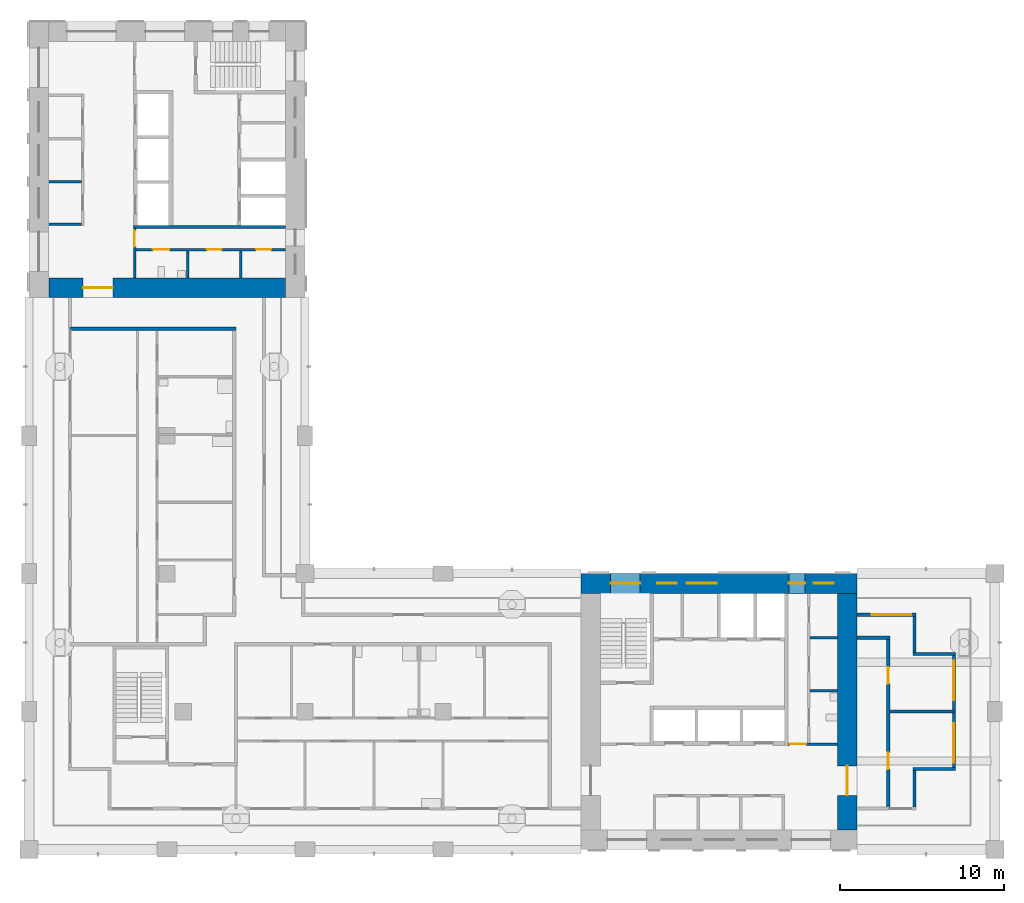
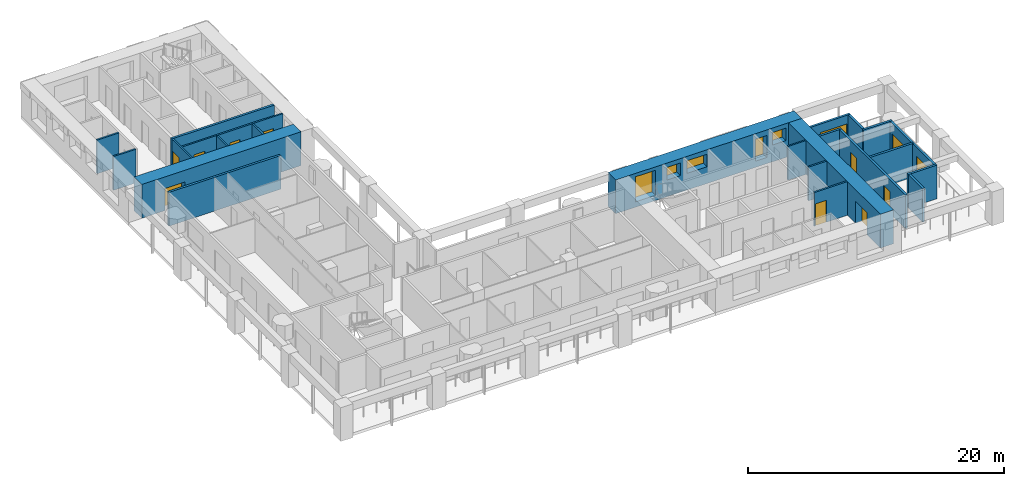
# One storey, part 5 of 13: 23 walls, 10 doors, 7 windows, 17 openings.
"""IFC4 building model written with IfcOpenShell, lengths in metres."""

from ifc_helpers import new_model, si_unit, direction, frame, frame_2d, origin, place, context, subcontext, project, spatial, rectangle, extrude, material, layer, layer_set, type_object, element, fill, save


model = new_model("IFC4")

# Units and contexts
model_context = context("Model", 3, precision=1e-05, world=origin(), true_north=direction((0.0, 1.0)))
body_context = subcontext(model_context, "Body", "Model", "MODEL_VIEW")
ifc_project = project(units=[si_unit("LENGTHUNIT", "METRE"), si_unit("AREAUNIT", "SQUARE_METRE"), si_unit("VOLUMEUNIT", "CUBIC_METRE"), si_unit("PLANEANGLEUNIT", "RADIAN"), si_unit("MASSUNIT", "GRAM", prefix="KILO")], contexts=[model_context])

# Site, building, storey
site_placement = place(None, origin())
site = spatial("IfcSite", under=ifc_project, at=site_placement, CompositionType="ELEMENT")
building_placement = place(site_placement, origin())
building = spatial("IfcBuilding", under=site, at=building_placement, Name="Vermilion Gate Residences", CompositionType="ELEMENT")
storey_placement = place(building_placement, frame((0.0, 0.0, 189.699951171875)))
storey = spatial("IfcBuildingStorey", under=building, at=storey_placement, Name="L49", CompositionType="ELEMENT", Elevation=189.699951171875)

# Wall, opening, door
ifc_material_1 = material(Name="Masonry blockwork", Category="masonry")
ifc_layer_1 = layer(ifc_material_1, 0.14990234375)
ifc_layer_set_1 = layer_set([ifc_layer_1], Name="BLOCKWORK PARTITION 150 EI 120")
wall_type_1 = type_object("IfcWallType", Name="BLOCKWORK PARTITION 150 EI 120", PredefinedType="PARTITIONING", material=ifc_layer_set_1)
wall_1_placement = place(storey_placement, frame((54.60009765625, 14.824951171875, 0.0), z_axis=(0.0, 0.0, 1.0), x_axis=(1.0, 0.0, 0.0)))
wall_1 = element("IfcWall", 1, at=wall_1_placement, inside=storey, type_object=wall_type_1, Name="Core room partition A49-ES-S", PredefinedType="PARTITIONING", context=body_context, shape_type="SweptSolid", body=[
    extrude(rectangle(XDim=3.0, YDim=0.14990234375, at=frame_2d((1.5, 0.0))), origin(), (0.0, 0.0, 1.0), 3.219970703125),
])
opening_1_placement = place(wall_1_placement, frame((0.10009765625, 0.0, 0.0)))
opening_1 = element("IfcOpeningElement", 2, at=opening_1_placement, cuts=wall_1, Name="Opening DK49015", PredefinedType="OPENING", context=body_context, shape_type="SweptSolid", body=[
    extrude(rectangle(XDim=1.0, YDim=2.10009765625, at=frame_2d((0.5, 1.050048828125))), frame((0.0, 0.0849609375, 0.0), z_axis=(0.0, -1.0, 0.0), x_axis=(1.0, 0.0, 0.0)), (0.0, 0.0, 1.0), 0.169921875),
])
ifc_material_2 = material(Name="Steel", Category="steel")
door_type_1 = type_object("IfcDoorType", Name="FIRE DOOR FD60 1000 X 2100", OperationType="SINGLE_SWING_LEFT", PredefinedType="DOOR", material=ifc_material_2)
door_1_placement = place(opening_1_placement, frame((1.0, 0.0, 0.0), z_axis=(0.0, 0.0, 1.0), x_axis=(-1.0, 0.0, 0.0)))
door_1 = element("IfcDoor", 3, at=door_1_placement, inside=storey, type_object=door_type_1, Name="Service corridor door A49", OperationType="SINGLE_SWING_LEFT", OverallHeight=2.10009765625, OverallWidth=1.0, PredefinedType="DOOR", context=body_context, shape_type="SweptSolid", body=[
    extrude(rectangle(XDim=1.0, YDim=2.10009765625, at=frame_2d((0.5, 1.050048828125))), frame((0.0, 0.02490234375, 0.0), z_axis=(0.0, -1.0, 0.0), x_axis=(1.0, 0.0, 0.0)), (0.0, 0.0, 1.0), 0.050048828125),
])
fill(opening_1, door_1)

# Walls
for number, where, z_axis, x_axis, name in (
    (4, (55.949951171875, 18.054931640625, 0.0), (0.0, 0.0, 1.0), (1.0, 0.0, 0.0), "Core room partition A49-ES-P0"),
    (5, (55.949951171875, 21.284912109375, 0.0), (0.0, 0.0, 1.0), (1.0, 0.0, 0.0), "Core room partition A49-ES-P1"),
):
    element("IfcWall", number, at=place(storey_placement, frame(where, z_axis=z_axis, x_axis=x_axis)), inside=storey, type_object=wall_type_1, Name=name, PredefinedType="PARTITIONING", context=body_context, shape_type="SweptSolid", body=[
        extrude(rectangle(XDim=1.650146484375, YDim=0.14990234375, at=frame_2d((0.8251953125, 0.0))), origin(), (0.0, 0.0, 1.0), 3.219970703125),
    ])
for number, where, z_axis, x_axis, name in (
    (6, (9.60009765625, 46.47509765625, 0.0), (0.0, 0.0, 1.0), (1.0, 0.0, 0.0), "Core room partition B49-RW-E"),
    (7, (9.60009765625, 49.06689453125, 0.0), (0.0, 0.0, 1.0), (1.0, 0.0, 0.0), "Core room partition B49-SR-P1"),
):
    element("IfcWall", number, at=place(storey_placement, frame(where, z_axis=z_axis, x_axis=x_axis)), inside=storey, type_object=wall_type_1, Name=name, PredefinedType="PARTITIONING", context=body_context, shape_type="SweptSolid", body=[
        extrude(rectangle(XDim=2.0, YDim=0.14990234375, at=frame_2d((1.0, 0.0))), origin(), (0.0, 0.0, 1.0), 3.219970703125),
    ])

# Wall, opening, door
wall_2_placement = place(storey_placement, frame((14.824951171875, 46.199951171875, 0.0), z_axis=(0.0, 0.0, 1.0), x_axis=(0.0, -1.0, 0.0)))
wall_2 = element("IfcWall", 8, at=wall_2_placement, inside=storey, type_object=wall_type_1, Name="Core room partition B49-ES-S", PredefinedType="PARTITIONING", context=body_context, shape_type="SweptSolid", body=[
    extrude(rectangle(XDim=3.0, YDim=0.14990234375, at=frame_2d((1.5, 0.0))), origin(), (0.0, 0.0, 1.0), 3.219970703125),
])
opening_2_placement = place(wall_2_placement, frame((0.10009765625, 0.0, 0.0)))
opening_2 = element("IfcOpeningElement", 9, at=opening_2_placement, cuts=wall_2, Name="Opening DK49114", PredefinedType="OPENING", context=body_context, shape_type="SweptSolid", body=[
    extrude(rectangle(XDim=1.0, YDim=2.10009765625, at=frame_2d((0.5, 1.050048828125))), frame((0.0, 0.0849609375, 0.0), z_axis=(0.0, -1.0, 0.0), x_axis=(1.0, 0.0, 0.0)), (0.0, 0.0, 1.0), 0.169921875),
])
door_2_placement = place(opening_2_placement, frame((1.0, 0.0, 0.0), z_axis=(0.0, 0.0, 1.0), x_axis=(-1.0, 0.0, 0.0)))
door_2 = element("IfcDoor", 10, at=door_2_placement, inside=storey, type_object=door_type_1, Name="Service corridor door B49", OperationType="SINGLE_SWING_LEFT", OverallHeight=2.10009765625, OverallWidth=1.0, PredefinedType="DOOR", context=body_context, shape_type="SweptSolid", body=[
    extrude(rectangle(XDim=1.0, YDim=2.10009765625, at=frame_2d((0.5, 1.050048828125))), frame((0.0, 0.02490234375, 0.0), z_axis=(0.0, -1.0, 0.0), x_axis=(1.0, 0.0, 0.0)), (0.0, 0.0, 1.0), 0.050048828125),
])
fill(opening_2, door_2)

# Walls
for number, where, z_axis, x_axis, name in (
    (11, (18.054931640625, 44.85009765625, 0.0), (0.0, 0.0, 1.0), (0.0, -1.0, 0.0), "Core room partition B49-ES-P0"),
    (12, (21.284912109375, 44.85009765625, 0.0), (0.0, 0.0, 1.0), (0.0, -1.0, 0.0), "Core room partition B49-ES-P1"),
):
    element("IfcWall", number, at=place(storey_placement, frame(where, z_axis=z_axis, x_axis=x_axis)), inside=storey, type_object=wall_type_1, Name=name, PredefinedType="PARTITIONING", context=body_context, shape_type="SweptSolid", body=[
        extrude(rectangle(XDim=1.650146484375, YDim=0.14990234375, at=frame_2d((0.8251953125, 0.0))), origin(), (0.0, 0.0, 1.0), 3.219970703125),
    ])

# Wall, openings, doors
wall_3_placement = place(storey_placement, frame((14.89990234375, 44.925048828125, 0.0), z_axis=(0.0, 0.0, 1.0), x_axis=(1.0, 0.0, 0.0)))
wall_3 = element("IfcWall", 13, at=wall_3_placement, inside=storey, type_object=wall_type_1, Name="Core room partition B49-ES-W", PredefinedType="PARTITIONING", context=body_context, shape_type="SweptSolid", body=[
    extrude(rectangle(XDim=9.10009765625, YDim=0.14990234375, at=frame_2d((4.550048828125, 0.0))), origin(), (0.0, 0.0, 1.0), 3.219970703125),
])
opening_3_placement = place(wall_3_placement, frame((1.0400390625, 0.0, 0.0)))
opening_3 = element("IfcOpeningElement", 14, at=opening_3_placement, cuts=wall_3, Name="Opening DK49115", PredefinedType="OPENING", context=body_context, shape_type="SweptSolid", body=[
    extrude(rectangle(XDim=1.0, YDim=2.10009765625, at=frame_2d((0.5, 1.050048828125))), frame((0.0, 0.0849609375, 0.0), z_axis=(0.0, -1.0, 0.0), x_axis=(1.0, 0.0, 0.0)), (0.0, 0.0, 1.0), 0.169921875),
])
opening_4_placement = place(wall_3_placement, frame((4.320068359375, 0.0, 0.0)))
opening_4 = element("IfcOpeningElement", 15, at=opening_4_placement, cuts=wall_3, Name="Opening DK49116", PredefinedType="OPENING", context=body_context, shape_type="SweptSolid", body=[
    extrude(rectangle(XDim=0.89990234375, YDim=2.10009765625, at=frame_2d((0.449951171875, 1.050048828125))), frame((0.0, 0.0849609375, 0.0), z_axis=(0.0, -1.0, 0.0), x_axis=(1.0, 0.0, 0.0)), (0.0, 0.0, 1.0), 0.169921875),
])
opening_5_placement = place(wall_3_placement, frame((7.330078125, 0.0, 0.0)))
opening_5 = element("IfcOpeningElement", 16, at=opening_5_placement, cuts=wall_3, Name="Opening DK49117", PredefinedType="OPENING", context=body_context, shape_type="SweptSolid", body=[
    extrude(rectangle(XDim=0.89990234375, YDim=2.10009765625, at=frame_2d((0.449951171875, 1.050048828125))), frame((0.0, 0.0849609375, 0.0), z_axis=(0.0, -1.0, 0.0), x_axis=(1.0, 0.0, 0.0)), (0.0, 0.0, 1.0), 0.169921875),
])
door_3_placement = place(opening_3_placement, frame((1.0, 0.0, 0.0), z_axis=(0.0, 0.0, 1.0), x_axis=(-1.0, 0.0, 0.0)))
door_3 = element("IfcDoor", 17, at=door_3_placement, inside=storey, type_object=door_type_1, Name="Accessible WC B49", OperationType="SINGLE_SWING_LEFT", OverallHeight=2.10009765625, OverallWidth=1.0, PredefinedType="DOOR", context=body_context, shape_type="SweptSolid", body=[
    extrude(rectangle(XDim=1.0, YDim=2.10009765625, at=frame_2d((0.5, 1.050048828125))), frame((0.0, 0.02490234375, 0.0), z_axis=(0.0, -1.0, 0.0), x_axis=(1.0, 0.0, 0.0)), (0.0, 0.0, 1.0), 0.050048828125),
])
fill(opening_3, door_3)
ifc_material_3 = material(Name="Steel", Category="steel")
door_type_2 = type_object("IfcDoorType", Name="SERVICE ROOM DOOR FD60 900 X 2100", OperationType="SINGLE_SWING_LEFT", PredefinedType="DOOR", material=ifc_material_3)
door_4_placement = place(opening_4_placement, frame((0.89990234375, 0.0, 0.0), z_axis=(0.0, 0.0, 1.0), x_axis=(-1.0, 0.0, 0.0)))
door_4 = element("IfcDoor", 18, at=door_4_placement, inside=storey, type_object=door_type_2, Name="Refuse room B49", OperationType="SINGLE_SWING_RIGHT", OverallHeight=2.10009765625, OverallWidth=0.89990234375, PredefinedType="DOOR", context=body_context, shape_type="SweptSolid", body=[
    extrude(rectangle(XDim=0.89990234375, YDim=2.10009765625, at=frame_2d((0.449951171875, 1.050048828125))), frame((0.0, 0.02490234375, 0.0), z_axis=(0.0, -1.0, 0.0), x_axis=(1.0, 0.0, 0.0)), (0.0, 0.0, 1.0), 0.050048828125),
])
fill(opening_4, door_4)
door_5_placement = place(opening_5_placement, frame((0.89990234375, 0.0, 0.0), z_axis=(0.0, 0.0, 1.0), x_axis=(-1.0, 0.0, 0.0)))
door_5 = element("IfcDoor", 19, at=door_5_placement, inside=storey, type_object=door_type_2, Name="Parcel room B49", OperationType="SINGLE_SWING_LEFT", OverallHeight=2.10009765625, OverallWidth=0.89990234375, PredefinedType="DOOR", context=body_context, shape_type="SweptSolid", body=[
    extrude(rectangle(XDim=0.89990234375, YDim=2.10009765625, at=frame_2d((0.449951171875, 1.050048828125))), frame((0.0, 0.02490234375, 0.0), z_axis=(0.0, -1.0, 0.0), x_axis=(1.0, 0.0, 0.0)), (0.0, 0.0, 1.0), 0.050048828125),
])
fill(opening_5, door_5)

# Walls
ifc_material_4 = material(Name="Insulated steel stud wall with terracotta rainscreen", Category="masonry")
ifc_layer_2 = layer(ifc_material_4, 0.199951171875)
ifc_layer_set_2 = layer_set([ifc_layer_2], Name="EXTERNAL WALL 200 TERRACOTTA RAINSCREEN")
wall_type_2 = type_object("IfcWallType", Name="EXTERNAL WALL 200 TERRACOTTA RAINSCREEN", PredefinedType="SOLIDWALL", material=ifc_layer_set_2)
wall_4_placement = place(storey_placement, frame((62.300048828125, 11.0, 0.0), z_axis=(0.0, 0.0, 1.0), x_axis=(0.0, 1.0, 0.0)))
element("IfcWall", 20, at=wall_4_placement, inside=storey, type_object=wall_type_2, Name="External wall", PredefinedType="SOLIDWALL", context=body_context, shape_type="SweptSolid", body=[
    extrude(rectangle(XDim=2.199951171875, YDim=0.199951171875, at=frame_2d((1.10009765625, 0.0))), origin(), (0.0, 0.0, 1.0), 3.219970703125),
])
wall_5_placement = place(storey_placement, frame((62.199951171875, 13.300048828125, 0.0), z_axis=(0.0, 0.0, 1.0), x_axis=(1.0, 0.0, 0.0)))
element("IfcWall", 21, at=wall_5_placement, inside=storey, type_object=wall_type_2, Name="External wall", PredefinedType="SOLIDWALL", context=body_context, shape_type="SweptSolid", body=[
    extrude(rectangle(XDim=2.60009765625, YDim=0.199951171875, at=frame_2d((1.300048828125, 0.0))), origin(), (0.0, 0.0, 1.0), 3.219970703125),
])

# Wall, openings, door, window
wall_6_placement = place(storey_placement, frame((64.699951171875, 13.39990234375, 0.0), z_axis=(0.0, 0.0, 1.0), x_axis=(0.0, 1.0, 0.0)))
wall_6 = element("IfcWall", 22, at=wall_6_placement, inside=storey, type_object=wall_type_2, Name="External wall", PredefinedType="SOLIDWALL", context=body_context, shape_type="SweptSolid", body=[
    extrude(rectangle(XDim=6.800048828125, YDim=0.199951171875, at=frame_2d((3.39990234375, 0.0))), origin(), (0.0, 0.0, 1.0), 3.219970703125),
])
opening_6_placement = place(wall_6_placement, frame((0.300048828125, 0.0, 0.89990234375)))
opening_6 = element("IfcOpeningElement", 23, at=opening_6_placement, cuts=wall_6, Name="Opening WE49016", PredefinedType="OPENING", context=body_context, shape_type="SweptSolid", body=[
    extrude(rectangle(XDim=2.39990234375, YDim=1.5, at=frame_2d((1.199951171875, 0.75))), frame((0.0, 0.10986328125, 0.0), z_axis=(0.0, -1.0, 0.0), x_axis=(1.0, 0.0, 0.0)), (0.0, 0.0, 1.0), 0.219970703125),
])
opening_7_placement = place(wall_6_placement, frame((4.10009765625, 0.0, 0.0)))
opening_7 = element("IfcOpeningElement", 24, at=opening_7_placement, cuts=wall_6, Name="Opening DE49019", PredefinedType="OPENING", context=body_context, shape_type="SweptSolid", body=[
    extrude(rectangle(XDim=2.39990234375, YDim=2.199951171875, at=frame_2d((1.199951171875, 1.10009765625))), frame((0.0, 0.10986328125, 0.0), z_axis=(0.0, -1.0, 0.0), x_axis=(1.0, 0.0, 0.0)), (0.0, 0.0, 1.0), 0.219970703125),
])
ifc_material_5 = material(Name="Aluminium and clear glass", Category="aluminium")
door_type_3 = type_object("IfcDoorType", Name="SLIDING GLAZED DOOR 2400 X 2200", OperationType="DOUBLE_DOOR_SLIDING", PredefinedType="DOOR", material=ifc_material_5)
door_6_placement = place(opening_7_placement, origin())
door_6 = element("IfcDoor", 25, at=door_6_placement, inside=storey, type_object=door_type_3, Name="Loggia sliding door", OperationType="DOUBLE_DOOR_SLIDING", OverallHeight=2.199951171875, OverallWidth=2.39990234375, PredefinedType="DOOR", context=body_context, shape_type="SweptSolid", body=[
    extrude(rectangle(XDim=2.39990234375, YDim=2.199951171875, at=frame_2d((1.199951171875, 1.10009765625))), frame((0.0, 0.02490234375, 0.0), z_axis=(0.0, -1.0, 0.0), x_axis=(1.0, 0.0, 0.0)), (0.0, 0.0, 1.0), 0.050048828125),
])
fill(opening_7, door_6)
ifc_material_6 = material(Name="Aluminium and clear glass", Category="aluminium")
window_type_1 = type_object("IfcWindowType", Name="WINDOW 2400 X 1500", PartitioningType="SINGLE_PANEL", PredefinedType="WINDOW", material=ifc_material_6)
window_1_placement = place(opening_6_placement, origin())
window_1 = element("IfcWindow", 26, at=window_1_placement, inside=storey, type_object=window_type_1, Name="Window", OverallHeight=1.5, OverallWidth=2.39990234375, PartitioningType="SINGLE_PANEL", PredefinedType="WINDOW", context=body_context, shape_type="SweptSolid", body=[
    extrude(rectangle(XDim=2.39990234375, YDim=1.5, at=frame_2d((1.199951171875, 0.75))), frame((0.0, 0.030029296875, 0.0), z_axis=(0.0, -1.0, 0.0), x_axis=(1.0, 0.0, 0.0)), (0.0, 0.0, 1.0), 0.06005859375),
])
fill(opening_6, window_1)

# Walls
wall_7_placement = place(storey_placement, frame((64.800048828125, 20.300048828125, 0.0), z_axis=(0.0, 0.0, 1.0), x_axis=(-1.0, 0.0, 0.0)))
element("IfcWall", 27, at=wall_7_placement, inside=storey, type_object=wall_type_2, Name="External wall", PredefinedType="SOLIDWALL", context=body_context, shape_type="SweptSolid", body=[
    extrude(rectangle(XDim=2.60009765625, YDim=0.199951171875, at=frame_2d((1.300048828125, 0.0))), origin(), (0.0, 0.0, 1.0), 3.219970703125),
])
wall_8_placement = place(storey_placement, frame((62.300048828125, 20.39990234375, 0.0), z_axis=(0.0, 0.0, 1.0), x_axis=(0.0, 1.0, 0.0)))
element("IfcWall", 28, at=wall_8_placement, inside=storey, type_object=wall_type_2, Name="External wall", PredefinedType="SOLIDWALL", context=body_context, shape_type="SweptSolid", body=[
    extrude(rectangle(XDim=2.2001953125, YDim=0.199951171875, at=frame_2d((1.10009765625, 0.0))), origin(), (0.0, 0.0, 1.0), 3.219970703125),
])

# Wall, opening, window
wall_9_placement = place(storey_placement, frame((62.39990234375, 22.699951171875, 0.0), z_axis=(0.0, 0.0, 1.0), x_axis=(-1.0, 0.0, 0.0)))
wall_9 = element("IfcWall", 29, at=wall_9_placement, inside=storey, type_object=wall_type_2, Name="External wall", PredefinedType="SOLIDWALL", context=body_context, shape_type="SweptSolid", body=[
    extrude(rectangle(XDim=3.599853515625, YDim=0.199951171875, at=frame_2d((1.7998046875, 0.0))), origin(), (0.0, 0.0, 1.0), 3.219970703125),
])
opening_8_placement = place(wall_9_placement, frame((0.300048828125, 0.0, 0.89990234375)))
opening_8 = element("IfcOpeningElement", 30, at=opening_8_placement, cuts=wall_9, Name="Opening WE49018", PredefinedType="OPENING", context=body_context, shape_type="SweptSolid", body=[
    extrude(rectangle(XDim=2.39990234375, YDim=1.5, at=frame_2d((1.199951171875, 0.75))), frame((0.0, 0.10986328125, 0.0), z_axis=(0.0, -1.0, 0.0), x_axis=(1.0, 0.0, 0.0)), (0.0, 0.0, 1.0), 0.219970703125),
])
window_2_placement = place(opening_8_placement, origin())
window_2 = element("IfcWindow", 31, at=window_2_placement, inside=storey, type_object=window_type_1, Name="Window", OverallHeight=1.5, OverallWidth=2.39990234375, PartitioningType="SINGLE_PANEL", PredefinedType="WINDOW", context=body_context, shape_type="SweptSolid", body=[
    extrude(rectangle(XDim=2.39990234375, YDim=1.5, at=frame_2d((1.199951171875, 0.75))), frame((0.0, 0.030029296875, 0.0), z_axis=(0.0, -1.0, 0.0), x_axis=(1.0, 0.0, 0.0)), (0.0, 0.0, 1.0), 0.06005859375),
])
fill(opening_8, window_2)

# Walls
ifc_material_7 = material(Name="Fire-rated plasterboard on steel studs", Category="steel")
ifc_layer_3 = layer(ifc_material_7, 0.199951171875)
ifc_layer_set_3 = layer_set([ifc_layer_3], Name="PARTY WALL 200 EI 120")
wall_type_3 = type_object("IfcWallType", Name="PARTY WALL 200 EI 120", PredefinedType="PARTITIONING", material=ifc_layer_set_3)
wall_10_placement = place(storey_placement, frame((60.800048828125, 16.800048828125, 0.0), z_axis=(0.0, 0.0, 1.0), x_axis=(1.0, 0.0, 0.0)))
element("IfcWall", 32, at=wall_10_placement, inside=storey, type_object=wall_type_3, Name="Party and corridor wall", PredefinedType="PARTITIONING", context=body_context, shape_type="SweptSolid", body=[
    extrude(rectangle(XDim=3.89990234375, YDim=0.199951171875, at=frame_2d((1.949951171875, 0.0))), origin(), (0.0, 0.0, 1.0), 3.219970703125),
])
wall_11_placement = place(storey_placement, frame((58.800048828125, 21.300048828125, 0.0), z_axis=(0.0, 0.0, 1.0), x_axis=(1.0, 0.0, 0.0)))
element("IfcWall", 33, at=wall_11_placement, inside=storey, type_object=wall_type_3, Name="Party and corridor wall", PredefinedType="PARTITIONING", context=body_context, shape_type="SweptSolid", body=[
    extrude(rectangle(XDim=2.0, YDim=0.199951171875, at=frame_2d((1.0, 0.0))), origin(), (0.0, 0.0, 1.0), 3.219970703125),
])
wall_12_placement = place(storey_placement, frame((10.89990234375, 40.10009765625, 0.0), z_axis=(0.0, 0.0, 1.0), x_axis=(1.0, 0.0, 0.0)))
element("IfcWall", 34, at=wall_12_placement, inside=storey, type_object=wall_type_3, Name="Party and corridor wall", PredefinedType="PARTITIONING", context=body_context, shape_type="SweptSolid", body=[
    extrude(rectangle(XDim=10.10009765625, YDim=0.199951171875, at=frame_2d((5.050048828125, 0.0))), origin(), (0.0, 0.0, 1.0), 3.219970703125),
])

# Wall, openings, doors
wall_13_placement = place(storey_placement, frame((60.699951171875, 10.89990234375, 0.0), z_axis=(0.0, 0.0, 1.0), x_axis=(0.0, 1.0, 0.0)))
wall_13 = element("IfcWall", 35, at=wall_13_placement, inside=storey, type_object=wall_type_3, Name="Party and corridor wall", PredefinedType="PARTITIONING", context=body_context, shape_type="SweptSolid", body=[
    extrude(rectangle(XDim=10.300048828125, YDim=0.199951171875, at=frame_2d((5.14990234375, 0.0))), origin(), (0.0, 0.0, 1.0), 3.219970703125),
])
opening_9_placement = place(wall_13_placement, frame((2.39990234375, 0.0, 0.0)))
opening_9 = element("IfcOpeningElement", 36, at=opening_9_placement, cuts=wall_13, Name="Opening DA49021", PredefinedType="OPENING", context=body_context, shape_type="SweptSolid", body=[
    extrude(rectangle(XDim=1.0, YDim=2.10009765625, at=frame_2d((0.5, 1.050048828125))), frame((0.0, 0.10986328125, 0.0), z_axis=(0.0, -1.0, 0.0), x_axis=(1.0, 0.0, 0.0)), (0.0, 0.0, 1.0), 0.219970703125),
])
opening_10_placement = place(wall_13_placement, frame((7.60009765625, 0.0, 0.0)))
opening_10 = element("IfcOpeningElement", 37, at=opening_10_placement, cuts=wall_13, Name="Opening DA49022", PredefinedType="OPENING", context=body_context, shape_type="SweptSolid", body=[
    extrude(rectangle(XDim=1.0, YDim=2.10009765625, at=frame_2d((0.5, 1.050048828125))), frame((0.0, 0.10986328125, 0.0), z_axis=(0.0, -1.0, 0.0), x_axis=(1.0, 0.0, 0.0)), (0.0, 0.0, 1.0), 0.219970703125),
])
ifc_material_8 = material(Name="Steel", Category="steel")
door_type_4 = type_object("IfcDoorType", Name="ENTRANCE DOOR 1000 X 2100 FD30", OperationType="SINGLE_SWING_LEFT", PredefinedType="DOOR", material=ifc_material_8)
door_7_placement = place(opening_9_placement, frame((1.0, 0.0, 0.0), z_axis=(0.0, 0.0, 1.0), x_axis=(-1.0, 0.0, 0.0)))
door_7 = element("IfcDoor", 38, at=door_7_placement, inside=storey, type_object=door_type_4, Name="Entrance door", OperationType="SINGLE_SWING_RIGHT", OverallHeight=2.10009765625, OverallWidth=1.0, PredefinedType="DOOR", context=body_context, shape_type="SweptSolid", body=[
    extrude(rectangle(XDim=1.0, YDim=2.10009765625, at=frame_2d((0.5, 1.050048828125))), frame((0.0, 0.02490234375, 0.0), z_axis=(0.0, -1.0, 0.0), x_axis=(1.0, 0.0, 0.0)), (0.0, 0.0, 1.0), 0.050048828125),
])
fill(opening_9, door_7)
door_8_placement = place(opening_10_placement, frame((1.0, 0.0, 0.0), z_axis=(0.0, 0.0, 1.0), x_axis=(-1.0, 0.0, 0.0)))
door_8 = element("IfcDoor", 39, at=door_8_placement, inside=storey, type_object=door_type_4, Name="Entrance door", OperationType="SINGLE_SWING_RIGHT", OverallHeight=2.10009765625, OverallWidth=1.0, PredefinedType="DOOR", context=body_context, shape_type="SweptSolid", body=[
    extrude(rectangle(XDim=1.0, YDim=2.10009765625, at=frame_2d((0.5, 1.050048828125))), frame((0.0, 0.02490234375, 0.0), z_axis=(0.0, -1.0, 0.0), x_axis=(1.0, 0.0, 0.0)), (0.0, 0.0, 1.0), 0.050048828125),
])
fill(opening_10, door_8)

# Wall
ifc_material_9 = material(Name="Concrete C60", Category="concrete")
ifc_layer_4 = layer(ifc_material_9, 0.199951171875)
ifc_layer_set_4 = layer_set([ifc_layer_4], Name="RC CORE INTERNAL WALL 200 C60")
wall_type_4 = type_object("IfcWallType", Name="RC CORE INTERNAL WALL 200 C60", PredefinedType="SHEAR", material=ifc_layer_set_4)
wall_14_placement = place(storey_placement, frame((14.75, 46.300048828125, 0.0), z_axis=(0.0, 0.0, 1.0), x_axis=(1.0, 0.0, 0.0)))
element("IfcWall", 40, at=wall_14_placement, inside=storey, type_object=wall_type_4, Name="Core internal wall B49-EDIV", PredefinedType="SHEAR", context=body_context, shape_type="SweptSolid", body=[
    extrude(rectangle(XDim=9.25, YDim=0.199951171875, at=frame_2d((4.625, 0.0))), origin(), (0.0, 0.0, 1.0), 3.219970703125),
])

# Wall, opening, door
ifc_material_10 = material(Name="Concrete C60", Category="concrete")
ifc_layer_5 = layer(ifc_material_10, 1.199951171875)
ifc_layer_set_5 = layer_set([ifc_layer_5], Name="RC CORE WALL 1200 C60")
wall_type_5 = type_object("IfcWallType", Name="RC CORE WALL 1200 C60", PredefinedType="SHEAR", material=ifc_layer_set_5)
wall_15_placement = place(storey_placement, frame((58.199951171875, 9.60009765625, 0.0), z_axis=(0.0, 0.0, 1.0), x_axis=(0.0, 1.0, 0.0)))
wall_15 = element("IfcWall", 41, at=wall_15_placement, inside=storey, type_object=wall_type_5, Name="Core wall A49-OUT-BK", PredefinedType="SHEAR", context=body_context, shape_type="SweptSolid", body=[
    extrude(rectangle(XDim=14.39990234375, YDim=1.199951171875, at=frame_2d((7.199951171875, 0.0))), origin(), (0.0, 0.0, 1.0), 3.219970703125),
])
opening_11_placement = place(wall_15_placement, frame((2.10009765625, 0.0, 0.0)))
opening_11 = element("IfcOpeningElement", 42, at=opening_11_placement, cuts=wall_15, Name="Opening DK49002", PredefinedType="OPENING", context=body_context, shape_type="SweptSolid", body=[
    extrude(rectangle(XDim=1.800048828125, YDim=2.10009765625, at=frame_2d((0.89990234375, 1.050048828125))), frame((0.0, 0.60986328125, 0.0), z_axis=(0.0, -1.0, 0.0), x_axis=(1.0, 0.0, 0.0)), (0.0, 0.0, 1.0), 1.219970703125),
])
ifc_material_11 = material(Name="Steel", Category="steel")
door_type_5 = type_object("IfcDoorType", Name="CORE LOBBY DOOR FD60 1800 X 2100", OperationType="DOUBLE_DOOR_SINGLE_SWING", PredefinedType="DOOR", material=ifc_material_11)
door_9_placement = place(opening_11_placement, origin())
door_9 = element("IfcDoor", 43, at=door_9_placement, inside=storey, type_object=door_type_5, Name="Core lobby door A49", OperationType="DOUBLE_DOOR_SINGLE_SWING", OverallHeight=2.10009765625, OverallWidth=1.800048828125, PredefinedType="DOOR", context=body_context, shape_type="SweptSolid", body=[
    extrude(rectangle(XDim=1.800048828125, YDim=2.10009765625, at=frame_2d((0.89990234375, 1.050048828125))), frame((0.0, 0.02490234375, 0.0), z_axis=(0.0, -1.0, 0.0), x_axis=(1.0, 0.0, 0.0)), (0.0, 0.0, 1.0), 0.050048828125),
])
fill(opening_11, door_9)

wall_16_placement = place(storey_placement, frame((9.60009765625, 42.60009765625, 0.0), z_axis=(0.0, 0.0, 1.0), x_axis=(1.0, 0.0, 0.0)))
wall_16 = element("IfcWall", 44, at=wall_16_placement, inside=storey, type_object=wall_type_5, Name="Core wall B49-OUT-BK", PredefinedType="SHEAR", context=body_context, shape_type="SweptSolid", body=[
    extrude(rectangle(XDim=14.39990234375, YDim=1.199951171875, at=frame_2d((7.199951171875, 0.0))), origin(), (0.0, 0.0, 1.0), 3.219970703125),
])
opening_12_placement = place(wall_16_placement, frame((2.10009765625, 0.0, 0.0)))
opening_12 = element("IfcOpeningElement", 45, at=opening_12_placement, cuts=wall_16, Name="Opening DK49101", PredefinedType="OPENING", context=body_context, shape_type="SweptSolid", body=[
    extrude(rectangle(XDim=1.800048828125, YDim=2.10009765625, at=frame_2d((0.89990234375, 1.050048828125))), frame((0.0, 0.60986328125, 0.0), z_axis=(0.0, -1.0, 0.0), x_axis=(1.0, 0.0, 0.0)), (0.0, 0.0, 1.0), 1.219970703125),
])
door_10_placement = place(opening_12_placement, frame((1.800048828125, 0.0, 0.0), z_axis=(0.0, 0.0, 1.0), x_axis=(-1.0, 0.0, 0.0)))
door_10 = element("IfcDoor", 46, at=door_10_placement, inside=storey, type_object=door_type_5, Name="Core lobby door B49", OperationType="DOUBLE_DOOR_SINGLE_SWING", OverallHeight=2.10009765625, OverallWidth=1.800048828125, PredefinedType="DOOR", context=body_context, shape_type="SweptSolid", body=[
    extrude(rectangle(XDim=1.800048828125, YDim=2.10009765625, at=frame_2d((0.89990234375, 1.050048828125))), frame((0.0, 0.02490234375, 0.0), z_axis=(0.0, -1.0, 0.0), x_axis=(1.0, 0.0, 0.0)), (0.0, 0.0, 1.0), 0.050048828125),
])
fill(opening_12, door_10)

# Wall, openings, windows
ifc_material_12 = material(Name="Concrete C60 red-oxide pigmented", Category="concrete")
ifc_layer_6 = layer(ifc_material_12, 1.199951171875)
ifc_layer_set_6 = layer_set([ifc_layer_6], Name="RC CORE WALL 1200 C60 RED OXIDE")
wall_type_6 = type_object("IfcWallType", Name="RC CORE WALL 1200 C60 RED OXIDE", PredefinedType="SHEAR", material=ifc_layer_set_6)
wall_17_placement = place(storey_placement, frame((42.0, 24.60009765625, 0.0), z_axis=(0.0, 0.0, 1.0), x_axis=(1.0, 0.0, 0.0)))
wall_17 = element("IfcWall", 47, at=wall_17_placement, inside=storey, type_object=wall_type_6, Name="Core wall A49-OUT-B1", PredefinedType="SHEAR", context=body_context, shape_type="SweptSolid", body=[
    extrude(rectangle(XDim=16.800048828125, YDim=1.199951171875, at=frame_2d((8.39990234375, 0.0))), origin(), (0.0, 0.0, 1.0), 3.219970703125),
])
opening_13_placement = place(wall_17_placement, frame((1.800048828125, 0.0, 0.5)))
opening_13 = element("IfcOpeningElement", 48, at=opening_13_placement, cuts=wall_17, Name="Opening WKA4906", PredefinedType="OPENING", context=body_context, shape_type="SweptSolid", body=[
    extrude(rectangle(XDim=1.800048828125, YDim=2.39990234375, at=frame_2d((0.89990234375, 1.199951171875))), frame((0.0, 0.60986328125, 0.0), z_axis=(0.0, -1.0, 0.0), x_axis=(1.0, 0.0, 0.0)), (0.0, 0.0, 1.0), 1.219970703125),
])
opening_14_placement = place(wall_17_placement, frame((4.643798828125, 0.0, 1.60009765625)))
opening_14 = element("IfcOpeningElement", 49, at=opening_14_placement, cuts=wall_17, Name="Opening WKA4907", PredefinedType="OPENING", context=body_context, shape_type="SweptSolid", body=[
    extrude(rectangle(XDim=1.199951171875, YDim=1.199951171875, at=frame_2d((0.60009765625, 0.60009765625))), frame((0.0, 0.60986328125, 0.0), z_axis=(0.0, -1.0, 0.0), x_axis=(1.0, 0.0, 0.0)), (0.0, 0.0, 1.0), 1.219970703125),
])
opening_15_placement = place(wall_17_placement, frame((6.449951171875, 0.0, 1.60009765625)))
opening_15 = element("IfcOpeningElement", 50, at=opening_15_placement, cuts=wall_17, Name="Opening WKA4908", PredefinedType="OPENING", context=body_context, shape_type="SweptSolid", body=[
    extrude(rectangle(XDim=1.800048828125, YDim=1.199951171875, at=frame_2d((0.89990234375, 0.60009765625))), frame((0.0, 0.60986328125, 0.0), z_axis=(0.0, -1.0, 0.0), x_axis=(1.0, 0.0, 0.0)), (0.0, 0.0, 1.0), 1.219970703125),
])
opening_16_placement = place(wall_17_placement, frame((12.64990234375, 0.0, 0.60009765625)))
opening_16 = element("IfcOpeningElement", 51, at=opening_16_placement, cuts=wall_17, Name="Opening WKA4909", PredefinedType="OPENING", context=body_context, shape_type="SweptSolid", body=[
    extrude(rectangle(XDim=1.0, YDim=2.10009765625, at=frame_2d((0.5, 1.050048828125))), frame((0.0, 0.60986328125, 0.0), z_axis=(0.0, -1.0, 0.0), x_axis=(1.0, 0.0, 0.0)), (0.0, 0.0, 1.0), 1.219970703125),
])
opening_17_placement = place(wall_17_placement, frame((14.175048828125, 0.0, 1.60009765625)))
opening_17 = element("IfcOpeningElement", 52, at=opening_17_placement, cuts=wall_17, Name="Opening WKA4910", PredefinedType="OPENING", context=body_context, shape_type="SweptSolid", body=[
    extrude(rectangle(XDim=1.199951171875, YDim=1.199951171875, at=frame_2d((0.60009765625, 0.60009765625))), frame((0.0, 0.60986328125, 0.0), z_axis=(0.0, -1.0, 0.0), x_axis=(1.0, 0.0, 0.0)), (0.0, 0.0, 1.0), 1.219970703125),
])
ifc_material_13 = material(Name="Aluminium and clear glass", Category="aluminium")
window_type_2 = type_object("IfcWindowType", Name="CORE CORRIDOR WINDOW 1000 X 2100", PartitioningType="SINGLE_PANEL", PredefinedType="WINDOW", material=ifc_material_13)
window_3_placement = place(opening_16_placement, origin())
window_3 = element("IfcWindow", 53, at=window_3_placement, inside=storey, type_object=window_type_2, Name="Core corridor window", OverallHeight=2.10009765625, OverallWidth=1.0, PartitioningType="SINGLE_PANEL", PredefinedType="WINDOW", context=body_context, shape_type="SweptSolid", body=[
    extrude(rectangle(XDim=1.0, YDim=2.10009765625, at=frame_2d((0.5, 1.050048828125))), frame((0.0, 0.030029296875, 0.0), z_axis=(0.0, -1.0, 0.0), x_axis=(1.0, 0.0, 0.0)), (0.0, 0.0, 1.0), 0.06005859375),
])
fill(opening_16, window_3)
ifc_material_14 = material(Name="Aluminium frame with louvre blades", Category="aluminium")
window_type_3 = type_object("IfcWindowType", Name="CORE LOUVRE 1200 X 1200", PartitioningType="SINGLE_PANEL", PredefinedType="WINDOW", material=ifc_material_14)
window_4_placement = place(opening_14_placement, origin())
window_4 = element("IfcWindow", 54, at=window_4_placement, inside=storey, type_object=window_type_3, Name="Core louvre", OverallHeight=1.199951171875, OverallWidth=1.199951171875, PartitioningType="SINGLE_PANEL", PredefinedType="WINDOW", context=body_context, shape_type="SweptSolid", body=[
    extrude(rectangle(XDim=1.199951171875, YDim=1.199951171875, at=frame_2d((0.60009765625, 0.60009765625))), frame((0.0, 0.030029296875, 0.0), z_axis=(0.0, -1.0, 0.0), x_axis=(1.0, 0.0, 0.0)), (0.0, 0.0, 1.0), 0.06005859375),
])
fill(opening_14, window_4)
window_5_placement = place(opening_17_placement, origin())
window_5 = element("IfcWindow", 55, at=window_5_placement, inside=storey, type_object=window_type_3, Name="Core louvre", OverallHeight=1.199951171875, OverallWidth=1.199951171875, PartitioningType="SINGLE_PANEL", PredefinedType="WINDOW", context=body_context, shape_type="SweptSolid", body=[
    extrude(rectangle(XDim=1.199951171875, YDim=1.199951171875, at=frame_2d((0.60009765625, 0.60009765625))), frame((0.0, 0.030029296875, 0.0), z_axis=(0.0, -1.0, 0.0), x_axis=(1.0, 0.0, 0.0)), (0.0, 0.0, 1.0), 0.06005859375),
])
fill(opening_17, window_5)
ifc_material_15 = material(Name="Aluminium frame with louvre blades", Category="aluminium")
window_type_4 = type_object("IfcWindowType", Name="CORE LOUVRE 1800 X 1200", PartitioningType="SINGLE_PANEL", PredefinedType="WINDOW", material=ifc_material_15)
window_6_placement = place(opening_15_placement, origin())
window_6 = element("IfcWindow", 56, at=window_6_placement, inside=storey, type_object=window_type_4, Name="Core louvre", OverallHeight=1.199951171875, OverallWidth=1.800048828125, PartitioningType="SINGLE_PANEL", PredefinedType="WINDOW", context=body_context, shape_type="SweptSolid", body=[
    extrude(rectangle(XDim=1.800048828125, YDim=1.199951171875, at=frame_2d((0.89990234375, 0.60009765625))), frame((0.0, 0.030029296875, 0.0), z_axis=(0.0, -1.0, 0.0), x_axis=(1.0, 0.0, 0.0)), (0.0, 0.0, 1.0), 0.06005859375),
])
fill(opening_15, window_6)
ifc_material_16 = material(Name="Aluminium and clear glass", Category="aluminium")
window_type_5 = type_object("IfcWindowType", Name="CORE STAIR WINDOW 1800 X 2400", PartitioningType="SINGLE_PANEL", PredefinedType="WINDOW", material=ifc_material_16)
window_7_placement = place(opening_13_placement, origin())
window_7 = element("IfcWindow", 57, at=window_7_placement, inside=storey, type_object=window_type_5, Name="Core stair window", OverallHeight=2.39990234375, OverallWidth=1.800048828125, PartitioningType="SINGLE_PANEL", PredefinedType="WINDOW", context=body_context, shape_type="SweptSolid", body=[
    extrude(rectangle(XDim=1.800048828125, YDim=2.39990234375, at=frame_2d((0.89990234375, 1.199951171875))), frame((0.0, 0.030029296875, 0.0), z_axis=(0.0, -1.0, 0.0), x_axis=(1.0, 0.0, 0.0)), (0.0, 0.0, 1.0), 0.06005859375),
])
fill(opening_13, window_7)

save(model, "model.ifc")
